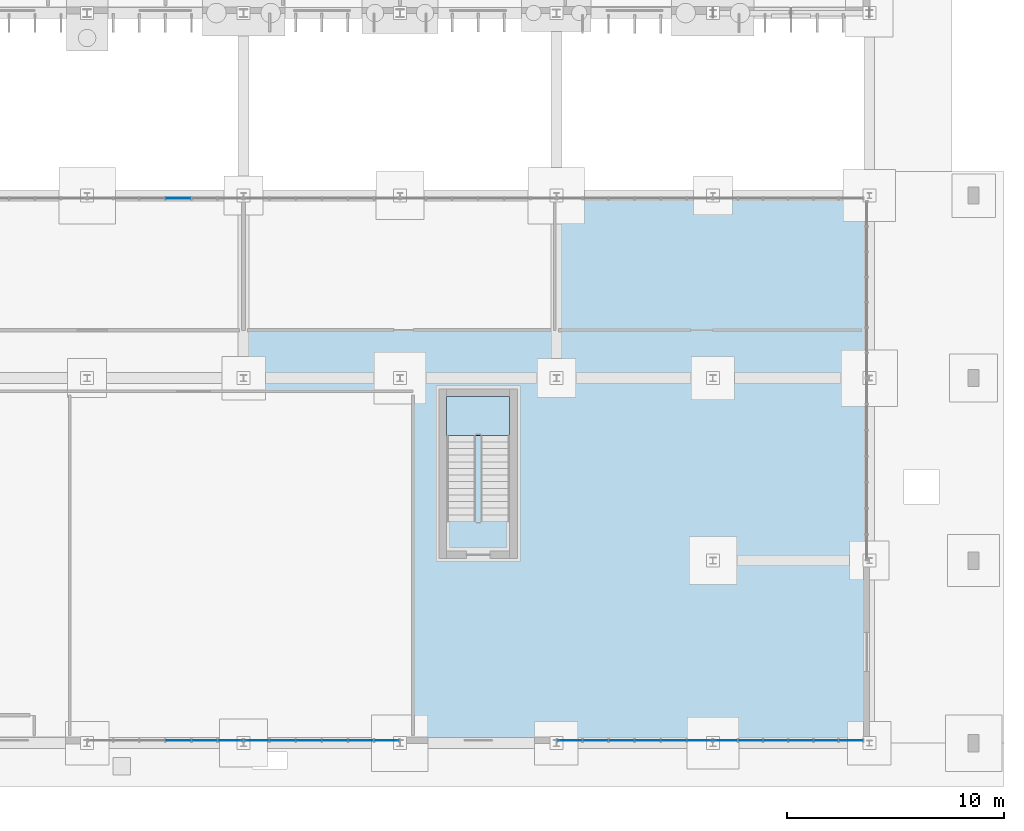
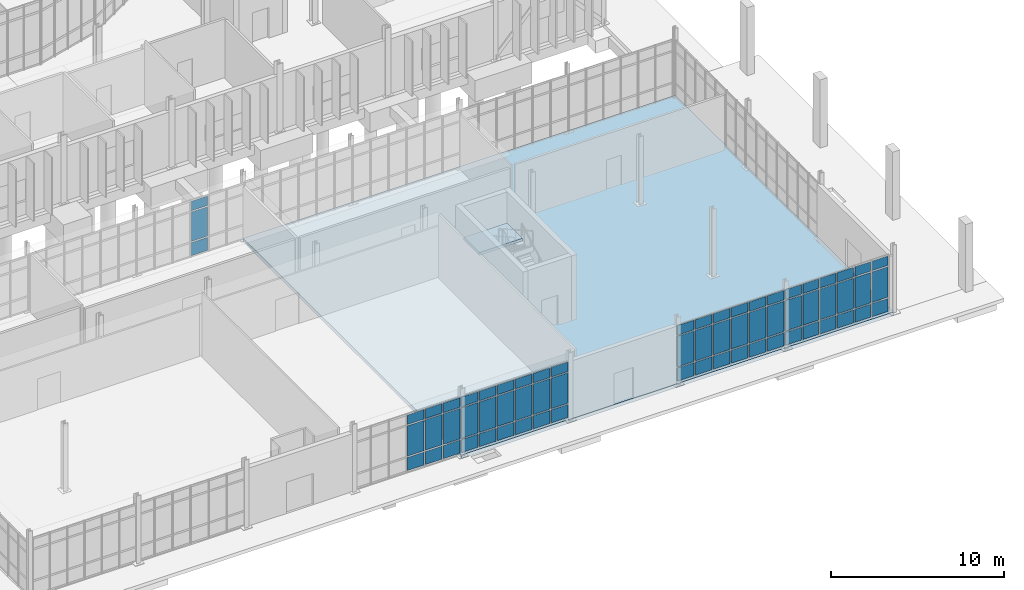
# One storey, part 66 of 118: 66 plates, 2 slabs, 6 elements without a shape of their own.
"""IFC4 building model written with IfcOpenShell, lengths in metres."""

from ifc_helpers import new_model, si_unit, direction, frame, origin, origin_2d, place, context, subcontext, project, spatial, polyline, rectangle, outline, extrude, material, layer, layer_set, type_object, element, aggregate, save


model = new_model("IFC4")

# Units and contexts
model_context = context("Model", 3, precision=1e-05, world=origin(), true_north=direction((0.0, 1.0)))
body_context = subcontext(model_context, "Body", "Model", "MODEL_VIEW")
ifc_project = project(units=[si_unit("LENGTHUNIT", "METRE"), si_unit("AREAUNIT", "SQUARE_METRE"), si_unit("VOLUMEUNIT", "CUBIC_METRE"), si_unit("PLANEANGLEUNIT", "RADIAN"), si_unit("MASSUNIT", "GRAM", prefix="KILO")], contexts=[model_context])

# Site, building, storey
site_placement = place(None, origin())
site = spatial("IfcSite", under=ifc_project, at=site_placement, CompositionType="ELEMENT")
building_placement = place(site_placement, origin())
building = spatial("IfcBuilding", under=site, at=building_placement, Name="Qelthora Terrace Specialist Clinic", CompositionType="ELEMENT")
storey_placement = place(building_placement, origin())
storey = spatial("IfcBuildingStorey", under=building, at=storey_placement, Name="L00", CompositionType="ELEMENT", Elevation=0.0)

# Curtain wall, plates
ifc_material_1 = material(Name="Aluminium anodized bronze", Category="aluminium")
curtain_wall_type = type_object("IfcCurtainWallType", Name="CW-CONS-X", PredefinedType="NOTDEFINED", material=ifc_material_1)
curtain_wall_1_placement = place(storey_placement, origin())
curtain_wall_1 = element("IfcCurtainWall", 1, at=curtain_wall_1_placement, inside=storey, type_object=curtain_wall_type, Name="Curtain wall CW-L00-207", PredefinedType="NOTDEFINED")
ifc_material_2 = material(Name="Low-E triple-silver insulating glass", Category="glass")
ifc_layer_1 = layer(ifc_material_2, 0.035888671875)
ifc_layer_set_1 = layer_set([ifc_layer_1], Name="Low-E triple-silver insulating glass")
plate_type = type_object("IfcPlateType", Name="CWP-IGU-36", PredefinedType="CURTAIN_PANEL", material=ifc_layer_set_1)
plate_1_placement = place(storey_placement, frame((126.60009765625, 0.1201171875, 0.0849609375), z_axis=(0.0, 0.0, 1.0), x_axis=(1.0, 0.0, 0.0)))
plate_1 = element("IfcPlate", 2, at=plate_1_placement, type_object=plate_type, Name="CW-L00-207 glazed panel 10", PredefinedType="CURTAIN_PANEL", context=body_context, shape_type="SweptSolid", body=[
    extrude(rectangle(XDim=1.10009765625, YDim=0.035888671875, at=origin_2d()), origin(), (0.0, 0.0, 1.0), 0.919921875),
])
plate_2_placement = place(storey_placement, frame((126.60009765625, 0.1201171875, 1.094970703125), z_axis=(0.0, 0.0, 1.0), x_axis=(1.0, 0.0, 0.0)))
plate_2 = element("IfcPlate", 3, at=plate_2_placement, type_object=plate_type, Name="CW-L00-207 glazed panel 11", PredefinedType="CURTAIN_PANEL", context=body_context, shape_type="SweptSolid", body=[
    extrude(rectangle(XDim=1.10009765625, YDim=0.035888671875, at=origin_2d()), origin(), (0.0, 0.0, 1.0), 2.14208984375),
])
plate_3_placement = place(storey_placement, frame((126.60009765625, 0.1201171875, 3.3271484375), z_axis=(0.0, 0.0, 1.0), x_axis=(1.0, 0.0, 0.0)))
plate_3 = element("IfcPlate", 4, at=plate_3_placement, type_object=plate_type, Name="CW-L00-207 glazed panel 12", PredefinedType="CURTAIN_PANEL", context=body_context, shape_type="SweptSolid", body=[
    extrude(rectangle(XDim=1.10009765625, YDim=0.035888671875, at=origin_2d()), origin(), (0.0, 0.0, 1.0), 0.669921875),
])
plate_4_placement = place(storey_placement, frame((127.800048828125, 0.1201171875, 0.0849609375), z_axis=(0.0, 0.0, 1.0), x_axis=(1.0, 0.0, 0.0)))
plate_4 = element("IfcPlate", 5, at=plate_4_placement, type_object=plate_type, Name="CW-L00-207 glazed panel 13", PredefinedType="CURTAIN_PANEL", context=body_context, shape_type="SweptSolid", body=[
    extrude(rectangle(XDim=1.10009765625, YDim=0.035888671875, at=origin_2d()), origin(), (0.0, 0.0, 1.0), 0.919921875),
])
plate_5_placement = place(storey_placement, frame((127.800048828125, 0.1201171875, 1.094970703125), z_axis=(0.0, 0.0, 1.0), x_axis=(1.0, 0.0, 0.0)))
plate_5 = element("IfcPlate", 6, at=plate_5_placement, type_object=plate_type, Name="CW-L00-207 glazed panel 14", PredefinedType="CURTAIN_PANEL", context=body_context, shape_type="SweptSolid", body=[
    extrude(rectangle(XDim=1.10009765625, YDim=0.035888671875, at=origin_2d()), origin(), (0.0, 0.0, 1.0), 2.14208984375),
])
plate_6_placement = place(storey_placement, frame((127.800048828125, 0.1201171875, 3.3271484375), z_axis=(0.0, 0.0, 1.0), x_axis=(1.0, 0.0, 0.0)))
plate_6 = element("IfcPlate", 7, at=plate_6_placement, type_object=plate_type, Name="CW-L00-207 glazed panel 15", PredefinedType="CURTAIN_PANEL", context=body_context, shape_type="SweptSolid", body=[
    extrude(rectangle(XDim=1.10009765625, YDim=0.035888671875, at=origin_2d()), origin(), (0.0, 0.0, 1.0), 0.669921875),
])
plate_7_placement = place(storey_placement, frame((129.0, 0.1201171875, 0.0849609375), z_axis=(0.0, 0.0, 1.0), x_axis=(1.0, 0.0, 0.0)))
plate_7 = element("IfcPlate", 8, at=plate_7_placement, type_object=plate_type, Name="CW-L00-207 glazed panel 16", PredefinedType="CURTAIN_PANEL", context=body_context, shape_type="SweptSolid", body=[
    extrude(rectangle(XDim=1.10009765625, YDim=0.035888671875, at=origin_2d()), origin(), (0.0, 0.0, 1.0), 0.919921875),
])
plate_8_placement = place(storey_placement, frame((129.0, 0.1201171875, 1.094970703125), z_axis=(0.0, 0.0, 1.0), x_axis=(1.0, 0.0, 0.0)))
plate_8 = element("IfcPlate", 9, at=plate_8_placement, type_object=plate_type, Name="CW-L00-207 glazed panel 17", PredefinedType="CURTAIN_PANEL", context=body_context, shape_type="SweptSolid", body=[
    extrude(rectangle(XDim=1.10009765625, YDim=0.035888671875, at=origin_2d()), origin(), (0.0, 0.0, 1.0), 2.14208984375),
])
plate_9_placement = place(storey_placement, frame((129.0, 0.1201171875, 3.3271484375), z_axis=(0.0, 0.0, 1.0), x_axis=(1.0, 0.0, 0.0)))
plate_9 = element("IfcPlate", 10, at=plate_9_placement, type_object=plate_type, Name="CW-L00-207 glazed panel 18", PredefinedType="CURTAIN_PANEL", context=body_context, shape_type="SweptSolid", body=[
    extrude(rectangle(XDim=1.10009765625, YDim=0.035888671875, at=origin_2d()), origin(), (0.0, 0.0, 1.0), 0.669921875),
])
aggregate(curtain_wall_1, [plate_1, plate_2, plate_3, plate_4, plate_5, plate_6, plate_7, plate_8, plate_9])

curtain_wall_2_placement = place(storey_placement, origin())
curtain_wall_2 = element("IfcCurtainWall", 11, at=curtain_wall_2_placement, inside=storey, type_object=curtain_wall_type, Name="Curtain wall CW-L00-208", PredefinedType="NOTDEFINED")
plate_10_placement = place(storey_placement, frame((130.199951171875, 0.1201171875, 0.0849609375), z_axis=(0.0, 0.0, 1.0), x_axis=(1.0, 0.0, 0.0)))
plate_10 = element("IfcPlate", 12, at=plate_10_placement, type_object=plate_type, Name="CW-L00-208 glazed panel 1", PredefinedType="CURTAIN_PANEL", context=body_context, shape_type="SweptSolid", body=[
    extrude(rectangle(XDim=1.10009765625, YDim=0.035888671875, at=origin_2d()), origin(), (0.0, 0.0, 1.0), 0.919921875),
])
plate_11_placement = place(storey_placement, frame((130.199951171875, 0.1201171875, 1.094970703125), z_axis=(0.0, 0.0, 1.0), x_axis=(1.0, 0.0, 0.0)))
plate_11 = element("IfcPlate", 13, at=plate_11_placement, type_object=plate_type, Name="CW-L00-208 glazed panel 2", PredefinedType="CURTAIN_PANEL", context=body_context, shape_type="SweptSolid", body=[
    extrude(rectangle(XDim=1.10009765625, YDim=0.035888671875, at=origin_2d()), origin(), (0.0, 0.0, 1.0), 2.14208984375),
])
plate_12_placement = place(storey_placement, frame((130.199951171875, 0.1201171875, 3.3271484375), z_axis=(0.0, 0.0, 1.0), x_axis=(1.0, 0.0, 0.0)))
plate_12 = element("IfcPlate", 14, at=plate_12_placement, type_object=plate_type, Name="CW-L00-208 glazed panel 3", PredefinedType="CURTAIN_PANEL", context=body_context, shape_type="SweptSolid", body=[
    extrude(rectangle(XDim=1.10009765625, YDim=0.035888671875, at=origin_2d()), origin(), (0.0, 0.0, 1.0), 0.669921875),
])
plate_13_placement = place(storey_placement, frame((131.39990234375, 0.1201171875, 0.0849609375), z_axis=(0.0, 0.0, 1.0), x_axis=(1.0, 0.0, 0.0)))
plate_13 = element("IfcPlate", 15, at=plate_13_placement, type_object=plate_type, Name="CW-L00-208 glazed panel 4", PredefinedType="CURTAIN_PANEL", context=body_context, shape_type="SweptSolid", body=[
    extrude(rectangle(XDim=1.10009765625, YDim=0.035888671875, at=origin_2d()), origin(), (0.0, 0.0, 1.0), 0.919921875),
])
plate_14_placement = place(storey_placement, frame((131.39990234375, 0.1201171875, 1.094970703125), z_axis=(0.0, 0.0, 1.0), x_axis=(1.0, 0.0, 0.0)))
plate_14 = element("IfcPlate", 16, at=plate_14_placement, type_object=plate_type, Name="CW-L00-208 glazed panel 5", PredefinedType="CURTAIN_PANEL", context=body_context, shape_type="SweptSolid", body=[
    extrude(rectangle(XDim=1.10009765625, YDim=0.035888671875, at=origin_2d()), origin(), (0.0, 0.0, 1.0), 2.14208984375),
])
plate_15_placement = place(storey_placement, frame((131.39990234375, 0.1201171875, 3.3271484375), z_axis=(0.0, 0.0, 1.0), x_axis=(1.0, 0.0, 0.0)))
plate_15 = element("IfcPlate", 17, at=plate_15_placement, type_object=plate_type, Name="CW-L00-208 glazed panel 6", PredefinedType="CURTAIN_PANEL", context=body_context, shape_type="SweptSolid", body=[
    extrude(rectangle(XDim=1.10009765625, YDim=0.035888671875, at=origin_2d()), origin(), (0.0, 0.0, 1.0), 0.669921875),
])
plate_16_placement = place(storey_placement, frame((132.60009765625, 0.1201171875, 0.0849609375), z_axis=(0.0, 0.0, 1.0), x_axis=(1.0, 0.0, 0.0)))
plate_16 = element("IfcPlate", 18, at=plate_16_placement, type_object=plate_type, Name="CW-L00-208 glazed panel 7", PredefinedType="CURTAIN_PANEL", context=body_context, shape_type="SweptSolid", body=[
    extrude(rectangle(XDim=1.10009765625, YDim=0.035888671875, at=origin_2d()), origin(), (0.0, 0.0, 1.0), 0.919921875),
])
plate_17_placement = place(storey_placement, frame((132.60009765625, 0.1201171875, 1.094970703125), z_axis=(0.0, 0.0, 1.0), x_axis=(1.0, 0.0, 0.0)))
plate_17 = element("IfcPlate", 19, at=plate_17_placement, type_object=plate_type, Name="CW-L00-208 glazed panel 8", PredefinedType="CURTAIN_PANEL", context=body_context, shape_type="SweptSolid", body=[
    extrude(rectangle(XDim=1.10009765625, YDim=0.035888671875, at=origin_2d()), origin(), (0.0, 0.0, 1.0), 2.14208984375),
])
plate_18_placement = place(storey_placement, frame((132.60009765625, 0.1201171875, 3.3271484375), z_axis=(0.0, 0.0, 1.0), x_axis=(1.0, 0.0, 0.0)))
plate_18 = element("IfcPlate", 20, at=plate_18_placement, type_object=plate_type, Name="CW-L00-208 glazed panel 9", PredefinedType="CURTAIN_PANEL", context=body_context, shape_type="SweptSolid", body=[
    extrude(rectangle(XDim=1.10009765625, YDim=0.035888671875, at=origin_2d()), origin(), (0.0, 0.0, 1.0), 0.669921875),
])
plate_19_placement = place(storey_placement, frame((133.800048828125, 0.1201171875, 0.0849609375), z_axis=(0.0, 0.0, 1.0), x_axis=(1.0, 0.0, 0.0)))
plate_19 = element("IfcPlate", 21, at=plate_19_placement, type_object=plate_type, Name="CW-L00-208 glazed panel 10", PredefinedType="CURTAIN_PANEL", context=body_context, shape_type="SweptSolid", body=[
    extrude(rectangle(XDim=1.10009765625, YDim=0.035888671875, at=origin_2d()), origin(), (0.0, 0.0, 1.0), 0.919921875),
])
plate_20_placement = place(storey_placement, frame((133.800048828125, 0.1201171875, 1.094970703125), z_axis=(0.0, 0.0, 1.0), x_axis=(1.0, 0.0, 0.0)))
plate_20 = element("IfcPlate", 22, at=plate_20_placement, type_object=plate_type, Name="CW-L00-208 glazed panel 11", PredefinedType="CURTAIN_PANEL", context=body_context, shape_type="SweptSolid", body=[
    extrude(rectangle(XDim=1.10009765625, YDim=0.035888671875, at=origin_2d()), origin(), (0.0, 0.0, 1.0), 2.14208984375),
])
plate_21_placement = place(storey_placement, frame((133.800048828125, 0.1201171875, 3.3271484375), z_axis=(0.0, 0.0, 1.0), x_axis=(1.0, 0.0, 0.0)))
plate_21 = element("IfcPlate", 23, at=plate_21_placement, type_object=plate_type, Name="CW-L00-208 glazed panel 12", PredefinedType="CURTAIN_PANEL", context=body_context, shape_type="SweptSolid", body=[
    extrude(rectangle(XDim=1.10009765625, YDim=0.035888671875, at=origin_2d()), origin(), (0.0, 0.0, 1.0), 0.669921875),
])
plate_22_placement = place(storey_placement, frame((135.0, 0.1201171875, 0.0849609375), z_axis=(0.0, 0.0, 1.0), x_axis=(1.0, 0.0, 0.0)))
plate_22 = element("IfcPlate", 24, at=plate_22_placement, type_object=plate_type, Name="CW-L00-208 glazed panel 13", PredefinedType="CURTAIN_PANEL", context=body_context, shape_type="SweptSolid", body=[
    extrude(rectangle(XDim=1.10009765625, YDim=0.035888671875, at=origin_2d()), origin(), (0.0, 0.0, 1.0), 0.919921875),
])
plate_23_placement = place(storey_placement, frame((135.0, 0.1201171875, 1.094970703125), z_axis=(0.0, 0.0, 1.0), x_axis=(1.0, 0.0, 0.0)))
plate_23 = element("IfcPlate", 25, at=plate_23_placement, type_object=plate_type, Name="CW-L00-208 glazed panel 14", PredefinedType="CURTAIN_PANEL", context=body_context, shape_type="SweptSolid", body=[
    extrude(rectangle(XDim=1.10009765625, YDim=0.035888671875, at=origin_2d()), origin(), (0.0, 0.0, 1.0), 2.14208984375),
])
plate_24_placement = place(storey_placement, frame((135.0, 0.1201171875, 3.3271484375), z_axis=(0.0, 0.0, 1.0), x_axis=(1.0, 0.0, 0.0)))
plate_24 = element("IfcPlate", 26, at=plate_24_placement, type_object=plate_type, Name="CW-L00-208 glazed panel 15", PredefinedType="CURTAIN_PANEL", context=body_context, shape_type="SweptSolid", body=[
    extrude(rectangle(XDim=1.10009765625, YDim=0.035888671875, at=origin_2d()), origin(), (0.0, 0.0, 1.0), 0.669921875),
])
plate_25_placement = place(storey_placement, frame((136.199951171875, 0.1201171875, 0.0849609375), z_axis=(0.0, 0.0, 1.0), x_axis=(1.0, 0.0, 0.0)))
plate_25 = element("IfcPlate", 27, at=plate_25_placement, type_object=plate_type, Name="CW-L00-208 glazed panel 16", PredefinedType="CURTAIN_PANEL", context=body_context, shape_type="SweptSolid", body=[
    extrude(rectangle(XDim=1.10009765625, YDim=0.035888671875, at=origin_2d()), origin(), (0.0, 0.0, 1.0), 0.919921875),
])
plate_26_placement = place(storey_placement, frame((136.199951171875, 0.1201171875, 1.094970703125), z_axis=(0.0, 0.0, 1.0), x_axis=(1.0, 0.0, 0.0)))
plate_26 = element("IfcPlate", 28, at=plate_26_placement, type_object=plate_type, Name="CW-L00-208 glazed panel 17", PredefinedType="CURTAIN_PANEL", context=body_context, shape_type="SweptSolid", body=[
    extrude(rectangle(XDim=1.10009765625, YDim=0.035888671875, at=origin_2d()), origin(), (0.0, 0.0, 1.0), 2.14208984375),
])
plate_27_placement = place(storey_placement, frame((136.199951171875, 0.1201171875, 3.3271484375), z_axis=(0.0, 0.0, 1.0), x_axis=(1.0, 0.0, 0.0)))
plate_27 = element("IfcPlate", 29, at=plate_27_placement, type_object=plate_type, Name="CW-L00-208 glazed panel 18", PredefinedType="CURTAIN_PANEL", context=body_context, shape_type="SweptSolid", body=[
    extrude(rectangle(XDim=1.10009765625, YDim=0.035888671875, at=origin_2d()), origin(), (0.0, 0.0, 1.0), 0.669921875),
])
aggregate(curtain_wall_2, [plate_10, plate_11, plate_12, plate_13, plate_14, plate_15, plate_16, plate_17, plate_18, plate_19, plate_20, plate_21, plate_22, plate_23, plate_24, plate_25, plate_26, plate_27])

curtain_wall_3_placement = place(storey_placement, origin())
curtain_wall_3 = element("IfcCurtainWall", 30, at=curtain_wall_3_placement, inside=storey, type_object=curtain_wall_type, Name="Curtain wall CW-L00-209", PredefinedType="NOTDEFINED")
plate_28_placement = place(storey_placement, frame((144.60009765625, 0.1201171875, 0.0849609375), z_axis=(0.0, 0.0, 1.0), x_axis=(1.0, 0.0, 0.0)))
plate_28 = element("IfcPlate", 31, at=plate_28_placement, type_object=plate_type, Name="CW-L00-209 glazed panel 1", PredefinedType="CURTAIN_PANEL", context=body_context, shape_type="SweptSolid", body=[
    extrude(rectangle(XDim=1.10009765625, YDim=0.035888671875, at=origin_2d()), origin(), (0.0, 0.0, 1.0), 0.919921875),
])
plate_29_placement = place(storey_placement, frame((144.60009765625, 0.1201171875, 1.094970703125), z_axis=(0.0, 0.0, 1.0), x_axis=(1.0, 0.0, 0.0)))
plate_29 = element("IfcPlate", 32, at=plate_29_placement, type_object=plate_type, Name="CW-L00-209 glazed panel 2", PredefinedType="CURTAIN_PANEL", context=body_context, shape_type="SweptSolid", body=[
    extrude(rectangle(XDim=1.10009765625, YDim=0.035888671875, at=origin_2d()), origin(), (0.0, 0.0, 1.0), 2.14208984375),
])
plate_30_placement = place(storey_placement, frame((144.60009765625, 0.1201171875, 3.3271484375), z_axis=(0.0, 0.0, 1.0), x_axis=(1.0, 0.0, 0.0)))
plate_30 = element("IfcPlate", 33, at=plate_30_placement, type_object=plate_type, Name="CW-L00-209 glazed panel 3", PredefinedType="CURTAIN_PANEL", context=body_context, shape_type="SweptSolid", body=[
    extrude(rectangle(XDim=1.10009765625, YDim=0.035888671875, at=origin_2d()), origin(), (0.0, 0.0, 1.0), 0.669921875),
])
plate_31_placement = place(storey_placement, frame((145.800048828125, 0.1201171875, 0.0849609375), z_axis=(0.0, 0.0, 1.0), x_axis=(1.0, 0.0, 0.0)))
plate_31 = element("IfcPlate", 34, at=plate_31_placement, type_object=plate_type, Name="CW-L00-209 glazed panel 4", PredefinedType="CURTAIN_PANEL", context=body_context, shape_type="SweptSolid", body=[
    extrude(rectangle(XDim=1.10009765625, YDim=0.035888671875, at=origin_2d()), origin(), (0.0, 0.0, 1.0), 0.919921875),
])
plate_32_placement = place(storey_placement, frame((145.800048828125, 0.1201171875, 1.094970703125), z_axis=(0.0, 0.0, 1.0), x_axis=(1.0, 0.0, 0.0)))
plate_32 = element("IfcPlate", 35, at=plate_32_placement, type_object=plate_type, Name="CW-L00-209 glazed panel 5", PredefinedType="CURTAIN_PANEL", context=body_context, shape_type="SweptSolid", body=[
    extrude(rectangle(XDim=1.10009765625, YDim=0.035888671875, at=origin_2d()), origin(), (0.0, 0.0, 1.0), 2.14208984375),
])
plate_33_placement = place(storey_placement, frame((145.800048828125, 0.1201171875, 3.3271484375), z_axis=(0.0, 0.0, 1.0), x_axis=(1.0, 0.0, 0.0)))
plate_33 = element("IfcPlate", 36, at=plate_33_placement, type_object=plate_type, Name="CW-L00-209 glazed panel 6", PredefinedType="CURTAIN_PANEL", context=body_context, shape_type="SweptSolid", body=[
    extrude(rectangle(XDim=1.10009765625, YDim=0.035888671875, at=origin_2d()), origin(), (0.0, 0.0, 1.0), 0.669921875),
])
plate_34_placement = place(storey_placement, frame((147.0, 0.1201171875, 0.0849609375), z_axis=(0.0, 0.0, 1.0), x_axis=(1.0, 0.0, 0.0)))
plate_34 = element("IfcPlate", 37, at=plate_34_placement, type_object=plate_type, Name="CW-L00-209 glazed panel 7", PredefinedType="CURTAIN_PANEL", context=body_context, shape_type="SweptSolid", body=[
    extrude(rectangle(XDim=1.10009765625, YDim=0.035888671875, at=origin_2d()), origin(), (0.0, 0.0, 1.0), 0.919921875),
])
plate_35_placement = place(storey_placement, frame((147.0, 0.1201171875, 1.094970703125), z_axis=(0.0, 0.0, 1.0), x_axis=(1.0, 0.0, 0.0)))
plate_35 = element("IfcPlate", 38, at=plate_35_placement, type_object=plate_type, Name="CW-L00-209 glazed panel 8", PredefinedType="CURTAIN_PANEL", context=body_context, shape_type="SweptSolid", body=[
    extrude(rectangle(XDim=1.10009765625, YDim=0.035888671875, at=origin_2d()), origin(), (0.0, 0.0, 1.0), 2.14208984375),
])
plate_36_placement = place(storey_placement, frame((147.0, 0.1201171875, 3.3271484375), z_axis=(0.0, 0.0, 1.0), x_axis=(1.0, 0.0, 0.0)))
plate_36 = element("IfcPlate", 39, at=plate_36_placement, type_object=plate_type, Name="CW-L00-209 glazed panel 9", PredefinedType="CURTAIN_PANEL", context=body_context, shape_type="SweptSolid", body=[
    extrude(rectangle(XDim=1.10009765625, YDim=0.035888671875, at=origin_2d()), origin(), (0.0, 0.0, 1.0), 0.669921875),
])
plate_37_placement = place(storey_placement, frame((148.199951171875, 0.1201171875, 0.0849609375), z_axis=(0.0, 0.0, 1.0), x_axis=(1.0, 0.0, 0.0)))
plate_37 = element("IfcPlate", 40, at=plate_37_placement, type_object=plate_type, Name="CW-L00-209 glazed panel 10", PredefinedType="CURTAIN_PANEL", context=body_context, shape_type="SweptSolid", body=[
    extrude(rectangle(XDim=1.10009765625, YDim=0.035888671875, at=origin_2d()), origin(), (0.0, 0.0, 1.0), 0.919921875),
])
plate_38_placement = place(storey_placement, frame((148.199951171875, 0.1201171875, 1.094970703125), z_axis=(0.0, 0.0, 1.0), x_axis=(1.0, 0.0, 0.0)))
plate_38 = element("IfcPlate", 41, at=plate_38_placement, type_object=plate_type, Name="CW-L00-209 glazed panel 11", PredefinedType="CURTAIN_PANEL", context=body_context, shape_type="SweptSolid", body=[
    extrude(rectangle(XDim=1.10009765625, YDim=0.035888671875, at=origin_2d()), origin(), (0.0, 0.0, 1.0), 2.14208984375),
])
plate_39_placement = place(storey_placement, frame((148.199951171875, 0.1201171875, 3.3271484375), z_axis=(0.0, 0.0, 1.0), x_axis=(1.0, 0.0, 0.0)))
plate_39 = element("IfcPlate", 42, at=plate_39_placement, type_object=plate_type, Name="CW-L00-209 glazed panel 12", PredefinedType="CURTAIN_PANEL", context=body_context, shape_type="SweptSolid", body=[
    extrude(rectangle(XDim=1.10009765625, YDim=0.035888671875, at=origin_2d()), origin(), (0.0, 0.0, 1.0), 0.669921875),
])
plate_40_placement = place(storey_placement, frame((149.39990234375, 0.1201171875, 0.0849609375), z_axis=(0.0, 0.0, 1.0), x_axis=(1.0, 0.0, 0.0)))
plate_40 = element("IfcPlate", 43, at=plate_40_placement, type_object=plate_type, Name="CW-L00-209 glazed panel 13", PredefinedType="CURTAIN_PANEL", context=body_context, shape_type="SweptSolid", body=[
    extrude(rectangle(XDim=1.10009765625, YDim=0.035888671875, at=origin_2d()), origin(), (0.0, 0.0, 1.0), 0.919921875),
])
plate_41_placement = place(storey_placement, frame((149.39990234375, 0.1201171875, 1.094970703125), z_axis=(0.0, 0.0, 1.0), x_axis=(1.0, 0.0, 0.0)))
plate_41 = element("IfcPlate", 44, at=plate_41_placement, type_object=plate_type, Name="CW-L00-209 glazed panel 14", PredefinedType="CURTAIN_PANEL", context=body_context, shape_type="SweptSolid", body=[
    extrude(rectangle(XDim=1.10009765625, YDim=0.035888671875, at=origin_2d()), origin(), (0.0, 0.0, 1.0), 2.14208984375),
])
plate_42_placement = place(storey_placement, frame((149.39990234375, 0.1201171875, 3.3271484375), z_axis=(0.0, 0.0, 1.0), x_axis=(1.0, 0.0, 0.0)))
plate_42 = element("IfcPlate", 45, at=plate_42_placement, type_object=plate_type, Name="CW-L00-209 glazed panel 15", PredefinedType="CURTAIN_PANEL", context=body_context, shape_type="SweptSolid", body=[
    extrude(rectangle(XDim=1.10009765625, YDim=0.035888671875, at=origin_2d()), origin(), (0.0, 0.0, 1.0), 0.669921875),
])
plate_43_placement = place(storey_placement, frame((150.60009765625, 0.1201171875, 0.0849609375), z_axis=(0.0, 0.0, 1.0), x_axis=(1.0, 0.0, 0.0)))
plate_43 = element("IfcPlate", 46, at=plate_43_placement, type_object=plate_type, Name="CW-L00-209 glazed panel 16", PredefinedType="CURTAIN_PANEL", context=body_context, shape_type="SweptSolid", body=[
    extrude(rectangle(XDim=1.10009765625, YDim=0.035888671875, at=origin_2d()), origin(), (0.0, 0.0, 1.0), 0.919921875),
])
plate_44_placement = place(storey_placement, frame((150.60009765625, 0.1201171875, 1.094970703125), z_axis=(0.0, 0.0, 1.0), x_axis=(1.0, 0.0, 0.0)))
plate_44 = element("IfcPlate", 47, at=plate_44_placement, type_object=plate_type, Name="CW-L00-209 glazed panel 17", PredefinedType="CURTAIN_PANEL", context=body_context, shape_type="SweptSolid", body=[
    extrude(rectangle(XDim=1.10009765625, YDim=0.035888671875, at=origin_2d()), origin(), (0.0, 0.0, 1.0), 2.14208984375),
])
plate_45_placement = place(storey_placement, frame((150.60009765625, 0.1201171875, 3.3271484375), z_axis=(0.0, 0.0, 1.0), x_axis=(1.0, 0.0, 0.0)))
plate_45 = element("IfcPlate", 48, at=plate_45_placement, type_object=plate_type, Name="CW-L00-209 glazed panel 18", PredefinedType="CURTAIN_PANEL", context=body_context, shape_type="SweptSolid", body=[
    extrude(rectangle(XDim=1.10009765625, YDim=0.035888671875, at=origin_2d()), origin(), (0.0, 0.0, 1.0), 0.669921875),
])
aggregate(curtain_wall_3, [plate_28, plate_29, plate_30, plate_31, plate_32, plate_33, plate_34, plate_35, plate_36, plate_37, plate_38, plate_39, plate_40, plate_41, plate_42, plate_43, plate_44, plate_45])

curtain_wall_4_placement = place(storey_placement, origin())
curtain_wall_4 = element("IfcCurtainWall", 49, at=curtain_wall_4_placement, inside=storey, type_object=curtain_wall_type, Name="Curtain wall CW-L00-210", PredefinedType="NOTDEFINED")
plate_46_placement = place(storey_placement, frame((151.7783203125, 0.1201171875, 0.0849609375), z_axis=(0.0, 0.0, 1.0), x_axis=(1.0, 0.0, 0.0)))
plate_46 = element("IfcPlate", 50, at=plate_46_placement, type_object=plate_type, Name="CW-L00-210 glazed panel 1", PredefinedType="CURTAIN_PANEL", context=body_context, shape_type="SweptSolid", body=[
    extrude(rectangle(XDim=1.056640625, YDim=0.035888671875, at=origin_2d()), origin(), (0.0, 0.0, 1.0), 0.919921875),
])
plate_47_placement = place(storey_placement, frame((151.7783203125, 0.1201171875, 1.094970703125), z_axis=(0.0, 0.0, 1.0), x_axis=(1.0, 0.0, 0.0)))
plate_47 = element("IfcPlate", 51, at=plate_47_placement, type_object=plate_type, Name="CW-L00-210 glazed panel 2", PredefinedType="CURTAIN_PANEL", context=body_context, shape_type="SweptSolid", body=[
    extrude(rectangle(XDim=1.056640625, YDim=0.035888671875, at=origin_2d()), origin(), (0.0, 0.0, 1.0), 2.14208984375),
])
plate_48_placement = place(storey_placement, frame((151.7783203125, 0.1201171875, 3.3271484375), z_axis=(0.0, 0.0, 1.0), x_axis=(1.0, 0.0, 0.0)))
plate_48 = element("IfcPlate", 52, at=plate_48_placement, type_object=plate_type, Name="CW-L00-210 glazed panel 3", PredefinedType="CURTAIN_PANEL", context=body_context, shape_type="SweptSolid", body=[
    extrude(rectangle(XDim=1.056640625, YDim=0.035888671875, at=origin_2d()), origin(), (0.0, 0.0, 1.0), 0.669921875),
])
plate_49_placement = place(storey_placement, frame((152.93505859375, 0.1201171875, 0.0849609375), z_axis=(0.0, 0.0, 1.0), x_axis=(1.0, 0.0, 0.0)))
plate_49 = element("IfcPlate", 53, at=plate_49_placement, type_object=plate_type, Name="CW-L00-210 glazed panel 4", PredefinedType="CURTAIN_PANEL", context=body_context, shape_type="SweptSolid", body=[
    extrude(rectangle(XDim=1.056640625, YDim=0.035888671875, at=origin_2d()), origin(), (0.0, 0.0, 1.0), 0.919921875),
])
plate_50_placement = place(storey_placement, frame((152.93505859375, 0.1201171875, 1.094970703125), z_axis=(0.0, 0.0, 1.0), x_axis=(1.0, 0.0, 0.0)))
plate_50 = element("IfcPlate", 54, at=plate_50_placement, type_object=plate_type, Name="CW-L00-210 glazed panel 5", PredefinedType="CURTAIN_PANEL", context=body_context, shape_type="SweptSolid", body=[
    extrude(rectangle(XDim=1.056640625, YDim=0.035888671875, at=origin_2d()), origin(), (0.0, 0.0, 1.0), 2.14208984375),
])
plate_51_placement = place(storey_placement, frame((152.93505859375, 0.1201171875, 3.3271484375), z_axis=(0.0, 0.0, 1.0), x_axis=(1.0, 0.0, 0.0)))
plate_51 = element("IfcPlate", 55, at=plate_51_placement, type_object=plate_type, Name="CW-L00-210 glazed panel 6", PredefinedType="CURTAIN_PANEL", context=body_context, shape_type="SweptSolid", body=[
    extrude(rectangle(XDim=1.056640625, YDim=0.035888671875, at=origin_2d()), origin(), (0.0, 0.0, 1.0), 0.669921875),
])
plate_52_placement = place(storey_placement, frame((154.091552734375, 0.1201171875, 0.0849609375), z_axis=(0.0, 0.0, 1.0), x_axis=(1.0, 0.0, 0.0)))
plate_52 = element("IfcPlate", 56, at=plate_52_placement, type_object=plate_type, Name="CW-L00-210 glazed panel 7", PredefinedType="CURTAIN_PANEL", context=body_context, shape_type="SweptSolid", body=[
    extrude(rectangle(XDim=1.056640625, YDim=0.035888671875, at=origin_2d()), origin(), (0.0, 0.0, 1.0), 0.919921875),
])
plate_53_placement = place(storey_placement, frame((154.091552734375, 0.1201171875, 1.094970703125), z_axis=(0.0, 0.0, 1.0), x_axis=(1.0, 0.0, 0.0)))
plate_53 = element("IfcPlate", 57, at=plate_53_placement, type_object=plate_type, Name="CW-L00-210 glazed panel 8", PredefinedType="CURTAIN_PANEL", context=body_context, shape_type="SweptSolid", body=[
    extrude(rectangle(XDim=1.056640625, YDim=0.035888671875, at=origin_2d()), origin(), (0.0, 0.0, 1.0), 2.14208984375),
])
plate_54_placement = place(storey_placement, frame((154.091552734375, 0.1201171875, 3.3271484375), z_axis=(0.0, 0.0, 1.0), x_axis=(1.0, 0.0, 0.0)))
plate_54 = element("IfcPlate", 58, at=plate_54_placement, type_object=plate_type, Name="CW-L00-210 glazed panel 9", PredefinedType="CURTAIN_PANEL", context=body_context, shape_type="SweptSolid", body=[
    extrude(rectangle(XDim=1.056640625, YDim=0.035888671875, at=origin_2d()), origin(), (0.0, 0.0, 1.0), 0.669921875),
])
plate_55_placement = place(storey_placement, frame((155.248291015625, 0.1201171875, 0.0849609375), z_axis=(0.0, 0.0, 1.0), x_axis=(1.0, 0.0, 0.0)))
plate_55 = element("IfcPlate", 59, at=plate_55_placement, type_object=plate_type, Name="CW-L00-210 glazed panel 10", PredefinedType="CURTAIN_PANEL", context=body_context, shape_type="SweptSolid", body=[
    extrude(rectangle(XDim=1.056640625, YDim=0.035888671875, at=origin_2d()), origin(), (0.0, 0.0, 1.0), 0.919921875),
])
plate_56_placement = place(storey_placement, frame((155.248291015625, 0.1201171875, 1.094970703125), z_axis=(0.0, 0.0, 1.0), x_axis=(1.0, 0.0, 0.0)))
plate_56 = element("IfcPlate", 60, at=plate_56_placement, type_object=plate_type, Name="CW-L00-210 glazed panel 11", PredefinedType="CURTAIN_PANEL", context=body_context, shape_type="SweptSolid", body=[
    extrude(rectangle(XDim=1.056640625, YDim=0.035888671875, at=origin_2d()), origin(), (0.0, 0.0, 1.0), 2.14208984375),
])
plate_57_placement = place(storey_placement, frame((155.248291015625, 0.1201171875, 3.3271484375), z_axis=(0.0, 0.0, 1.0), x_axis=(1.0, 0.0, 0.0)))
plate_57 = element("IfcPlate", 61, at=plate_57_placement, type_object=plate_type, Name="CW-L00-210 glazed panel 12", PredefinedType="CURTAIN_PANEL", context=body_context, shape_type="SweptSolid", body=[
    extrude(rectangle(XDim=1.056640625, YDim=0.035888671875, at=origin_2d()), origin(), (0.0, 0.0, 1.0), 0.669921875),
])
plate_58_placement = place(storey_placement, frame((156.405029296875, 0.1201171875, 0.0849609375), z_axis=(0.0, 0.0, 1.0), x_axis=(1.0, 0.0, 0.0)))
plate_58 = element("IfcPlate", 62, at=plate_58_placement, type_object=plate_type, Name="CW-L00-210 glazed panel 13", PredefinedType="CURTAIN_PANEL", context=body_context, shape_type="SweptSolid", body=[
    extrude(rectangle(XDim=1.056640625, YDim=0.035888671875, at=origin_2d()), origin(), (0.0, 0.0, 1.0), 0.919921875),
])
plate_59_placement = place(storey_placement, frame((156.405029296875, 0.1201171875, 1.094970703125), z_axis=(0.0, 0.0, 1.0), x_axis=(1.0, 0.0, 0.0)))
plate_59 = element("IfcPlate", 63, at=plate_59_placement, type_object=plate_type, Name="CW-L00-210 glazed panel 14", PredefinedType="CURTAIN_PANEL", context=body_context, shape_type="SweptSolid", body=[
    extrude(rectangle(XDim=1.056640625, YDim=0.035888671875, at=origin_2d()), origin(), (0.0, 0.0, 1.0), 2.14208984375),
])
plate_60_placement = place(storey_placement, frame((156.405029296875, 0.1201171875, 3.3271484375), z_axis=(0.0, 0.0, 1.0), x_axis=(1.0, 0.0, 0.0)))
plate_60 = element("IfcPlate", 64, at=plate_60_placement, type_object=plate_type, Name="CW-L00-210 glazed panel 15", PredefinedType="CURTAIN_PANEL", context=body_context, shape_type="SweptSolid", body=[
    extrude(rectangle(XDim=1.056640625, YDim=0.035888671875, at=origin_2d()), origin(), (0.0, 0.0, 1.0), 0.669921875),
])
plate_61_placement = place(storey_placement, frame((157.561767578125, 0.1201171875, 0.0849609375), z_axis=(0.0, 0.0, 1.0), x_axis=(1.0, 0.0, 0.0)))
plate_61 = element("IfcPlate", 65, at=plate_61_placement, type_object=plate_type, Name="CW-L00-210 glazed panel 16", PredefinedType="CURTAIN_PANEL", context=body_context, shape_type="SweptSolid", body=[
    extrude(rectangle(XDim=1.056640625, YDim=0.035888671875, at=origin_2d()), origin(), (0.0, 0.0, 1.0), 0.919921875),
])
plate_62_placement = place(storey_placement, frame((157.561767578125, 0.1201171875, 1.094970703125), z_axis=(0.0, 0.0, 1.0), x_axis=(1.0, 0.0, 0.0)))
plate_62 = element("IfcPlate", 66, at=plate_62_placement, type_object=plate_type, Name="CW-L00-210 glazed panel 17", PredefinedType="CURTAIN_PANEL", context=body_context, shape_type="SweptSolid", body=[
    extrude(rectangle(XDim=1.056640625, YDim=0.035888671875, at=origin_2d()), origin(), (0.0, 0.0, 1.0), 2.14208984375),
])
plate_63_placement = place(storey_placement, frame((157.561767578125, 0.1201171875, 3.3271484375), z_axis=(0.0, 0.0, 1.0), x_axis=(1.0, 0.0, 0.0)))
plate_63 = element("IfcPlate", 67, at=plate_63_placement, type_object=plate_type, Name="CW-L00-210 glazed panel 18", PredefinedType="CURTAIN_PANEL", context=body_context, shape_type="SweptSolid", body=[
    extrude(rectangle(XDim=1.056640625, YDim=0.035888671875, at=origin_2d()), origin(), (0.0, 0.0, 1.0), 0.669921875),
])
aggregate(curtain_wall_4, [plate_46, plate_47, plate_48, plate_49, plate_50, plate_51, plate_52, plate_53, plate_54, plate_55, plate_56, plate_57, plate_58, plate_59, plate_60, plate_61, plate_62, plate_63])

curtain_wall_5_placement = place(storey_placement, origin())
curtain_wall_5 = element("IfcCurtainWall", 68, at=curtain_wall_5_placement, inside=storey, type_object=curtain_wall_type, Name="Curtain wall CW-L00-217", PredefinedType="NOTDEFINED")
plate_64_placement = place(storey_placement, frame((126.60009765625, 25.080078125, 0.0849609375), z_axis=(0.0, 0.0, 1.0), x_axis=(1.0, 0.0, 0.0)))
plate_64 = element("IfcPlate", 69, at=plate_64_placement, type_object=plate_type, Name="CW-L00-217 glazed panel 10", PredefinedType="CURTAIN_PANEL", context=body_context, shape_type="SweptSolid", body=[
    extrude(rectangle(XDim=1.10009765625, YDim=0.035888671875, at=origin_2d()), origin(), (0.0, 0.0, 1.0), 0.919921875),
])
plate_65_placement = place(storey_placement, frame((126.60009765625, 25.080078125, 1.094970703125), z_axis=(0.0, 0.0, 1.0), x_axis=(1.0, 0.0, 0.0)))
plate_65 = element("IfcPlate", 70, at=plate_65_placement, type_object=plate_type, Name="CW-L00-217 glazed panel 11", PredefinedType="CURTAIN_PANEL", context=body_context, shape_type="SweptSolid", body=[
    extrude(rectangle(XDim=1.10009765625, YDim=0.035888671875, at=origin_2d()), origin(), (0.0, 0.0, 1.0), 2.06494140625),
])
plate_66_placement = place(storey_placement, frame((126.60009765625, 25.080078125, 3.25), z_axis=(0.0, 0.0, 1.0), x_axis=(1.0, 0.0, 0.0)))
plate_66 = element("IfcPlate", 71, at=plate_66_placement, type_object=plate_type, Name="CW-L00-217 glazed panel 12", PredefinedType="CURTAIN_PANEL", context=body_context, shape_type="SweptSolid", body=[
    extrude(rectangle(XDim=1.10009765625, YDim=0.035888671875, at=origin_2d()), origin(), (0.0, 0.0, 1.0), 0.669921875),
])
aggregate(curtain_wall_5, [plate_64, plate_65, plate_66])

# Slab
ifc_material_3 = material(Name="Concrete C30/37", Category="concrete")
ifc_layer_2 = layer(ifc_material_3, 0.260009765625)
ifc_layer_set_2 = layer_set([ifc_layer_2], Name="Concrete C30/37")
slab_type_1 = type_object("IfcSlabType", Name="SLB-BASE-260-C30", PredefinedType="BASESLAB", material=ifc_layer_set_2)
slab_1_placement = place(storey_placement, frame((0.0, 0.0, -0.260009765625)))
element("IfcSlab", 72, at=slab_1_placement, inside=storey, type_object=slab_type_1, Name="L00 V3 slab SLB-L00-V3B", PredefinedType="BASESLAB", context=body_context, shape_type="SweptSolid", body=[
    extrude(outline(polyline([(129.60009765625, 25.199951171875), (158.39990234375, 25.199951171875), (158.39990234375, 0.0), (129.60009765625, 0.0), (129.60009765625, 25.199951171875)])), origin(), (0.0, 0.0, 1.0), 0.260009765625),
])

# Stair, slab
stair_type = type_object("IfcStairType", Name="STR-175-305", PredefinedType="HALF_TURN_STAIR", material=ifc_material_3)
stair_placement = place(storey_placement, origin())
stair = element("IfcStair", 73, at=stair_placement, inside=storey, type_object=stair_type, Name="L00 Enclosed Exit Stair ST-08", PredefinedType="HALF_TURN_STAIR")
ifc_layer_3 = layer(ifc_material_3, 0.199951171875)
ifc_layer_set_3 = layer_set([ifc_layer_3], Name="Concrete C30/37")
slab_type_2 = type_object("IfcSlabType", Name="SLB-LAND-200-C30", PredefinedType="LANDING", material=ifc_layer_set_3)
slab_2_placement = place(storey_placement, frame((0.0, 0.0, 2.199951171875)))
slab_2 = element("IfcSlab", 74, at=slab_2_placement, type_object=slab_type_2, Name="ST-08 landing 1", PredefinedType="LANDING", context=body_context, shape_type="SweptSolid", body=[
    extrude(outline(polyline([(141.85009765625, 14.1650390625), (141.85009765625, 15.949951171875), (138.949951171875, 15.949951171875), (138.949951171875, 14.1650390625), (141.85009765625, 14.1650390625)])), origin(), (0.0, 0.0, 1.0), 0.199951171875),
])
aggregate(stair, [slab_2])

save(model, "model.ifc")
